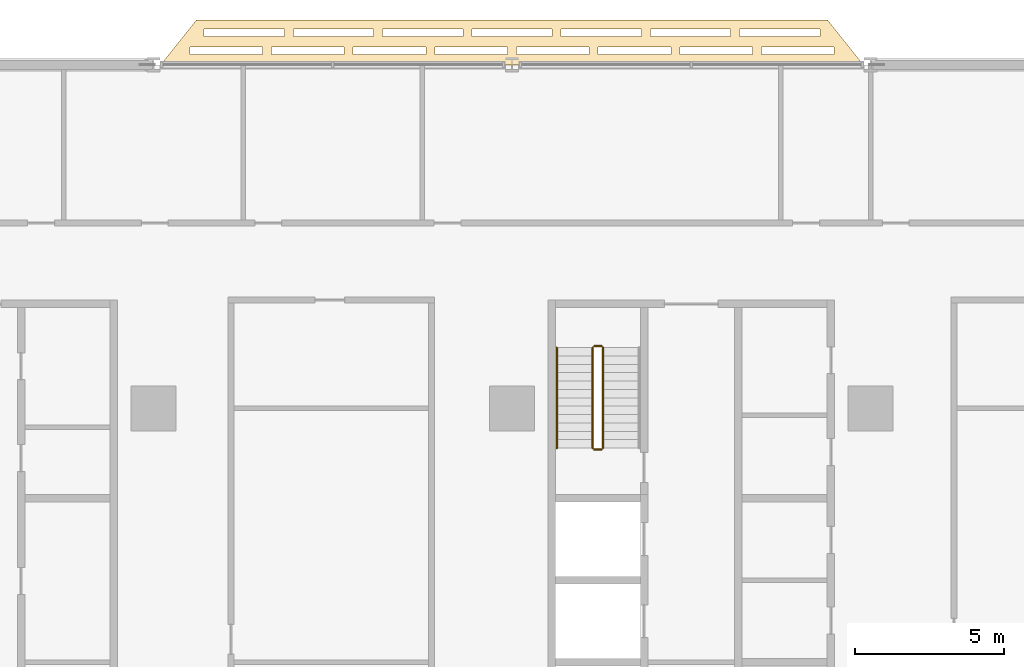
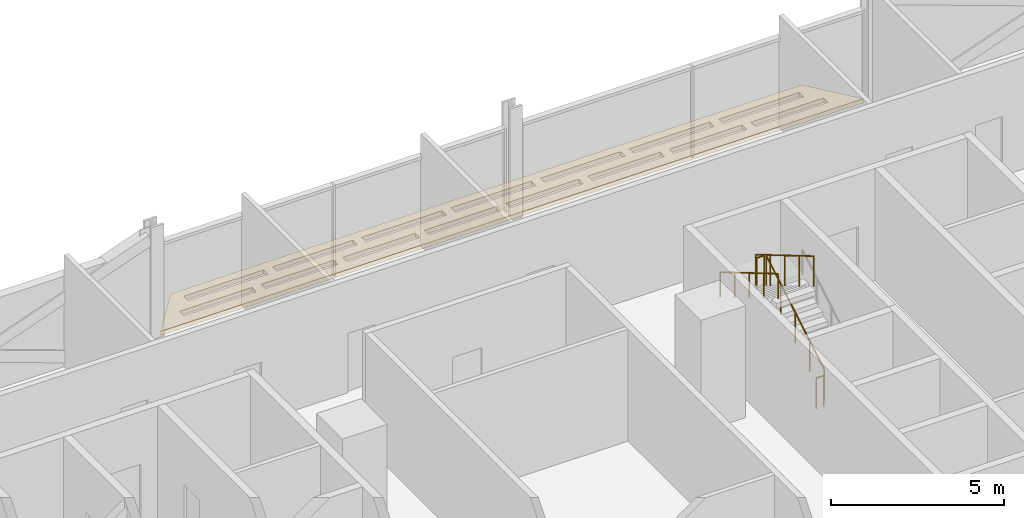
# One storey, part 27 of 29: 5 railings, 1 covering.
"""IFC4 building model written with IfcOpenShell, lengths in metres."""

from ifc_helpers import new_model, si_unit, direction, frame, origin, origin_2d, place, context, subcontext, project, spatial, polyline, circle, outline, extrude, material, layer, layer_set, type_object, element, save


model = new_model("IFC4")

# Units and contexts
model_context = context("Model", 3, precision=1e-05, world=origin(), true_north=direction((0.0, 1.0)))
body_context = subcontext(model_context, "Body", "Model", "MODEL_VIEW")
ifc_project = project(units=[si_unit("LENGTHUNIT", "METRE"), si_unit("AREAUNIT", "SQUARE_METRE"), si_unit("VOLUMEUNIT", "CUBIC_METRE"), si_unit("PLANEANGLEUNIT", "RADIAN"), si_unit("MASSUNIT", "GRAM", prefix="KILO")], contexts=[model_context])

# Site, building, storey
site_placement = place(None, origin())
site = spatial("IfcSite", under=ifc_project, at=site_placement, CompositionType="ELEMENT")
building_placement = place(site_placement, origin())
building = spatial("IfcBuilding", under=site, at=building_placement, Name="Mahtab Terrace Research Tower", CompositionType="ELEMENT")
storey_placement = place(building_placement, frame((0.0, 0.0, 58.89990234375)))
storey = spatial("IfcBuildingStorey", under=building, at=storey_placement, Name="L13", CompositionType="ELEMENT", Elevation=58.89990234375)

# Covering
ifc_material_1 = material(Name="Black anodised aluminium", Category="aluminium")
ifc_layer = layer(ifc_material_1, 0.14990234375)
ifc_layer_set = layer_set([ifc_layer], Name="Horizontal sunshade band")
covering_type = type_object("IfcCoveringType", Name="Horizontal sunshade band", PredefinedType="CLADDING", material=ifc_layer_set)
covering_placement = place(storey_placement, frame((0.0, 0.0, -0.14990234375)))
element("IfcCovering", 1, at=covering_placement, inside=storey, type_object=covering_type, Name="Sunshade band L13 5", PredefinedType="CLADDING", context=body_context, shape_type="SweptSolid", body=[
    extrude(outline(polyline([(29.761962890625, 23.0), (6.238037109375, 23.0), (7.43798828125, 24.5), (28.56201171875, 24.5), (29.761962890625, 23.0)]), holes=[polyline([(28.781982421875, 23.35009765625), (26.34912109375, 23.35009765625), (26.34912109375, 23.60009765625), (28.781982421875, 23.60009765625), (28.781982421875, 23.35009765625)]), polyline([(26.049072265625, 23.35009765625), (23.615966796875, 23.35009765625), (23.615966796875, 23.60009765625), (26.049072265625, 23.60009765625), (26.049072265625, 23.35009765625)]), polyline([(23.31591796875, 23.35009765625), (20.883056640625, 23.35009765625), (20.883056640625, 23.60009765625), (23.31591796875, 23.60009765625), (23.31591796875, 23.35009765625)]), polyline([(20.5830078125, 23.35009765625), (18.14990234375, 23.35009765625), (18.14990234375, 23.60009765625), (20.5830078125, 23.60009765625), (20.5830078125, 23.35009765625)]), polyline([(17.85009765625, 23.35009765625), (15.4169921875, 23.35009765625), (15.4169921875, 23.60009765625), (17.85009765625, 23.60009765625), (17.85009765625, 23.35009765625)]), polyline([(15.116943359375, 23.35009765625), (12.68408203125, 23.35009765625), (12.68408203125, 23.60009765625), (15.116943359375, 23.60009765625), (15.116943359375, 23.35009765625)]), polyline([(12.384033203125, 23.35009765625), (9.950927734375, 23.35009765625), (9.950927734375, 23.60009765625), (12.384033203125, 23.60009765625), (12.384033203125, 23.35009765625)]), polyline([(9.65087890625, 23.35009765625), (7.218017578125, 23.35009765625), (7.218017578125, 23.60009765625), (9.65087890625, 23.60009765625), (9.65087890625, 23.35009765625)]), polyline([(28.302001953125, 23.949951171875), (25.615966796875, 23.949951171875), (25.615966796875, 24.199951171875), (28.302001953125, 24.199951171875), (28.302001953125, 23.949951171875)]), polyline([(25.31591796875, 23.949951171875), (22.62890625, 23.949951171875), (22.62890625, 24.199951171875), (25.31591796875, 24.199951171875), (25.31591796875, 23.949951171875)]), polyline([(22.3291015625, 23.949951171875), (19.64306640625, 23.949951171875), (19.64306640625, 24.199951171875), (22.3291015625, 24.199951171875), (22.3291015625, 23.949951171875)]), polyline([(19.343017578125, 23.949951171875), (16.656982421875, 23.949951171875), (16.656982421875, 24.199951171875), (19.343017578125, 24.199951171875), (19.343017578125, 23.949951171875)]), polyline([(16.35693359375, 23.949951171875), (13.6708984375, 23.949951171875), (13.6708984375, 24.199951171875), (16.35693359375, 24.199951171875), (16.35693359375, 23.949951171875)]), polyline([(13.37109375, 23.949951171875), (10.68408203125, 23.949951171875), (10.68408203125, 24.199951171875), (13.37109375, 24.199951171875), (13.37109375, 23.949951171875)]), polyline([(10.384033203125, 23.949951171875), (7.697998046875, 23.949951171875), (7.697998046875, 24.199951171875), (10.384033203125, 24.199951171875), (10.384033203125, 23.949951171875)])]), origin(), (0.0, 0.0, 1.0), 0.14990234375),
])

# Railings
ifc_material_2 = material(Name="Stainless steel AISI 304", Category="steel")
railing_type_1 = type_object("IfcRailingType", Name="Stair guard 1100", PredefinedType="GUARDRAIL", material=ifc_material_2)
railing_1_placement = place(storey_placement, frame((21.050048828125, 10.175048828125, 0.16552734375)))
element("IfcRailing", 2, at=railing_1_placement, inside=storey, type_object=railing_type_1, Name="L13 ST3 stair guard 1", PredefinedType="GUARDRAIL", context=body_context, shape_type="SweptSolid", body=[
    extrude(circle(Radius=0.02392578125, at=origin_2d()), frame((0.0, 0.0, 1.076171875), z_axis=(0.0, 0.861011212953, 0.508585972249), x_axis=(-1.0, 0.0, 0.0)), (0.0, 0.0, 1.0), 3.90234375),
    extrude(circle(Radius=0.02099609375, at=origin_2d()), origin(), (0.0, 0.0, 1.0), 1.052001953125),
    extrude(circle(Radius=0.02099609375, at=origin_2d()), frame((0.0, 0.83984375, 0.49609375)), (0.0, 0.0, 1.0), 1.052001953125),
    extrude(circle(Radius=0.02099609375, at=origin_2d()), frame((0.0, 1.679931640625, 0.9921875)), (0.0, 0.0, 1.0), 1.052001953125),
    extrude(circle(Radius=0.02099609375, at=origin_2d()), frame((0.0, 2.52001953125, 1.488525390625)), (0.0, 0.0, 1.0), 1.052001953125),
    extrude(circle(Radius=0.02099609375, at=origin_2d()), frame((0.0, 3.35986328125, 1.984619140625)), (0.0, 0.0, 1.0), 1.052001953125),
])
railing_2_placement = place(storey_placement, frame((21.0, 13.5849609375, 2.150146484375)))
element("IfcRailing", 3, at=railing_2_placement, inside=storey, type_object=railing_type_1, Name="L13 ST3 stair guard 2", PredefinedType="GUARDRAIL", context=body_context, shape_type="SweptSolid", body=[
    extrude(circle(Radius=0.02392578125, at=origin_2d()), frame((0.0, 0.0, 1.076171875), z_axis=(-1.0, 0.0, 0.0), x_axis=(0.0, -1.0, 0.0)), (0.0, 0.0, 1.0), 0.25),
    extrude(circle(Radius=0.02099609375, at=origin_2d()), origin(), (0.0, 0.0, 1.0), 1.052001953125),
    extrude(circle(Radius=0.02099609375, at=origin_2d()), frame((-0.25, 0.0, 0.0)), (0.0, 0.0, 1.0), 1.052001953125),
])
railing_3_placement = place(storey_placement, frame((20.699951171875, 13.534912109375, 2.3154296875)))
element("IfcRailing", 4, at=railing_3_placement, inside=storey, type_object=railing_type_1, Name="L13 ST3 stair guard 3", PredefinedType="GUARDRAIL", context=body_context, shape_type="SweptSolid", body=[
    extrude(circle(Radius=0.02392578125, at=origin_2d()), frame((0.0, 0.0, 1.076171875), z_axis=(0.0, -0.861011212953, 0.508585972249), x_axis=(1.0, 0.0, 0.0)), (0.0, 0.0, 1.0), 3.90234375),
    extrude(circle(Radius=0.02099609375, at=origin_2d()), origin(), (0.0, 0.0, 1.0), 1.052001953125),
    extrude(circle(Radius=0.02099609375, at=origin_2d()), frame((0.0, -0.83984375, 0.49609375)), (0.0, 0.0, 1.0), 1.052001953125),
    extrude(circle(Radius=0.02099609375, at=origin_2d()), frame((0.0, -1.679931640625, 0.9921875)), (0.0, 0.0, 1.0), 1.052001953125),
    extrude(circle(Radius=0.02099609375, at=origin_2d()), frame((0.0, -2.52001953125, 1.488525390625)), (0.0, 0.0, 1.0), 1.052001953125),
    extrude(circle(Radius=0.02099609375, at=origin_2d()), frame((0.0, -3.35986328125, 1.984619140625)), (0.0, 0.0, 1.0), 1.052001953125),
])
railing_4_placement = place(storey_placement, frame((21.0, 10.125, 0.0)))
element("IfcRailing", 5, at=railing_4_placement, inside=storey, type_object=railing_type_1, Name="L13 ST3 stair guard 4", PredefinedType="GUARDRAIL", context=body_context, shape_type="SweptSolid", body=[
    extrude(circle(Radius=0.02392578125, at=origin_2d()), frame((0.0, 0.0, 1.076171875), z_axis=(-1.0, 0.0, 0.0), x_axis=(0.0, -1.0, 0.0)), (0.0, 0.0, 1.0), 0.25),
    extrude(circle(Radius=0.02099609375, at=origin_2d()), origin(), (0.0, 0.0, 1.0), 1.052001953125),
    extrude(circle(Radius=0.02099609375, at=origin_2d()), frame((-0.25, 0.0, 0.0)), (0.0, 0.0, 1.0), 1.052001953125),
])
railing_type_2 = type_object("IfcRailingType", Name="Stair handrail 900", PredefinedType="HANDRAIL", material=ifc_material_2)
railing_5_placement = place(storey_placement, frame((19.5, 13.534912109375, 2.3154296875)))
element("IfcRailing", 6, at=railing_5_placement, inside=storey, type_object=railing_type_2, Name="L13 ST3 stair handrail 2", PredefinedType="HANDRAIL", context=body_context, shape_type="SweptSolid", body=[
    extrude(circle(Radius=0.02392578125, at=origin_2d()), frame((0.0, 0.0, 0.8759765625), z_axis=(0.0, -0.861011212953, 0.508585972249), x_axis=(1.0, 0.0, 0.0)), (0.0, 0.0, 1.0), 3.90234375),
    extrude(circle(Radius=0.02099609375, at=origin_2d()), origin(), (0.0, 0.0, 1.0), 0.851806640625),
    extrude(circle(Radius=0.02099609375, at=origin_2d()), frame((0.0, -0.83984375, 0.49609375)), (0.0, 0.0, 1.0), 0.851806640625),
    extrude(circle(Radius=0.02099609375, at=origin_2d()), frame((0.0, -1.679931640625, 0.9921875)), (0.0, 0.0, 1.0), 0.851806640625),
    extrude(circle(Radius=0.02099609375, at=origin_2d()), frame((0.0, -2.52001953125, 1.488525390625)), (0.0, 0.0, 1.0), 0.851806640625),
    extrude(circle(Radius=0.02099609375, at=origin_2d()), frame((0.0, -3.35986328125, 1.984619140625)), (0.0, 0.0, 1.0), 0.851806640625),
])

save(model, "model.ifc")
